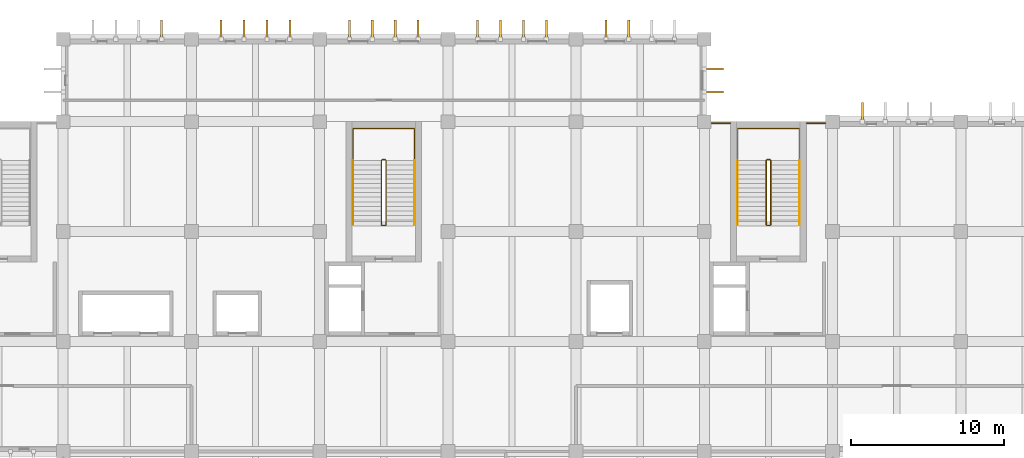
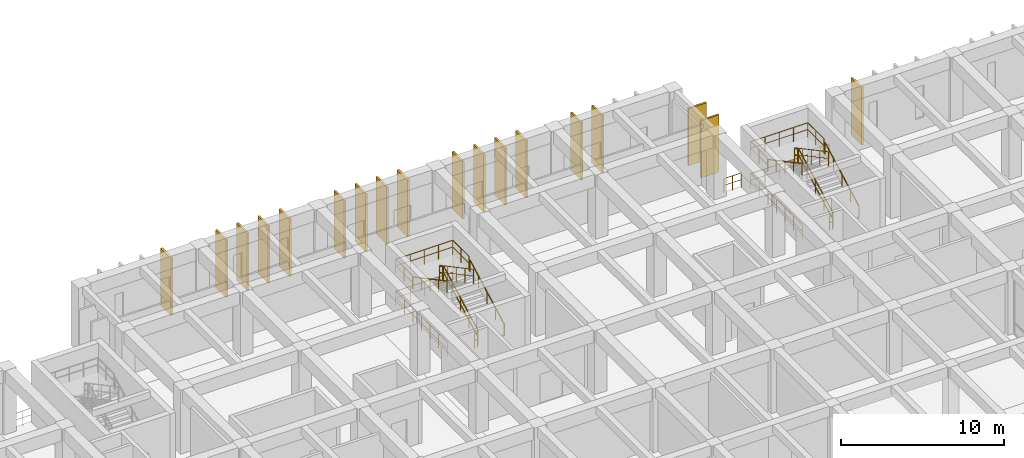
# One storey, part 51 of 52: 18 railings, 18 shading devices.
"""IFC4 building model written with IfcOpenShell, lengths in metres."""

from ifc_helpers import new_model, si_unit, direction, frame, origin, origin_2d, place, context, subcontext, project, spatial, rectangle, circle, extrude, material, type_object, element, save


model = new_model("IFC4")

# Units and contexts
model_context = context("Model", 3, precision=1e-05, world=origin(), true_north=direction((0.0, 1.0)))
body_context = subcontext(model_context, "Body", "Model", "MODEL_VIEW")
ifc_project = project(units=[si_unit("LENGTHUNIT", "METRE"), si_unit("AREAUNIT", "SQUARE_METRE"), si_unit("VOLUMEUNIT", "CUBIC_METRE"), si_unit("PLANEANGLEUNIT", "RADIAN"), si_unit("MASSUNIT", "GRAM", prefix="KILO")], contexts=[model_context])

# Site, building, storey
site_placement = place(None, origin())
site = spatial("IfcSite", under=ifc_project, at=site_placement, CompositionType="ELEMENT")
building_placement = place(site_placement, origin())
building = spatial("IfcBuilding", under=site, at=building_placement, Name="Kenerak Square Central Library", CompositionType="ELEMENT")
storey_placement = place(building_placement, frame((0.0, 0.0, 4.800048828125)))
storey = spatial("IfcBuildingStorey", under=building, at=storey_placement, Name="L01", CompositionType="ELEMENT", Elevation=4.800048828125)

# Shading devices
ifc_material_1 = material(Name="White precast concrete C40/50", Category="concrete")
shading_device_type = type_object("IfcShadingDeviceType", Name="Precast Vertical Solar Fin SF-1280 C40/50", PredefinedType="USERDEFINED", material=ifc_material_1)
for number, where, z_axis, x_axis, name in (
    (1, (73.25, 116.419921875, 0.10009765625), (0.0, 0.0, 1.0), (1.0, 0.0, 0.0), "Precast Solar Fin FIN-01 L01 0027"),
    (2, (77.14990234375, 116.419921875, 0.10009765625), (0.0, 0.0, 1.0), (1.0, 0.0, 0.0), "Precast Solar Fin FIN-01 L01 0028"),
    (3, (78.64990234375, 116.419921875, 0.10009765625), (0.0, 0.0, 1.0), (1.0, 0.0, 0.0), "Precast Solar Fin FIN-01 L01 0029"),
    (4, (80.14990234375, 116.419921875, 0.10009765625), (0.0, 0.0, 1.0), (1.0, 0.0, 0.0), "Precast Solar Fin FIN-01 L01 0030"),
    (5, (81.64990234375, 116.419921875, 0.10009765625), (0.0, 0.0, 1.0), (1.0, 0.0, 0.0), "Precast Solar Fin FIN-01 L01 0031"),
    (6, (85.550048828125, 116.419921875, 0.10009765625), (0.0, 0.0, 1.0), (1.0, 0.0, 0.0), "Precast Solar Fin FIN-01 L01 0032"),
    (7, (87.050048828125, 116.419921875, 0.10009765625), (0.0, 0.0, 1.0), (1.0, 0.0, 0.0), "Precast Solar Fin FIN-01 L01 0033"),
    (8, (88.550048828125, 116.419921875, 0.10009765625), (0.0, 0.0, 1.0), (1.0, 0.0, 0.0), "Precast Solar Fin FIN-01 L01 0034"),
    (9, (90.050048828125, 116.419921875, 0.10009765625), (0.0, 0.0, 1.0), (1.0, 0.0, 0.0), "Precast Solar Fin FIN-01 L01 0035"),
    (10, (93.949951171875, 116.419921875, 0.10009765625), (0.0, 0.0, 1.0), (1.0, 0.0, 0.0), "Precast Solar Fin FIN-01 L01 0036"),
    (11, (95.449951171875, 116.419921875, 0.10009765625), (0.0, 0.0, 1.0), (1.0, 0.0, 0.0), "Precast Solar Fin FIN-01 L01 0037"),
    (12, (96.949951171875, 116.419921875, 0.10009765625), (0.0, 0.0, 1.0), (1.0, 0.0, 0.0), "Precast Solar Fin FIN-01 L01 0038"),
    (13, (98.449951171875, 116.419921875, 0.10009765625), (0.0, 0.0, 1.0), (1.0, 0.0, 0.0), "Precast Solar Fin FIN-01 L01 0039"),
    (14, (102.35009765625, 116.419921875, 0.10009765625), (0.0, 0.0, 1.0), (1.0, 0.0, 0.0), "Precast Solar Fin FIN-01 L01 0040"),
    (15, (103.85009765625, 116.419921875, 0.10009765625), (0.0, 0.0, 1.0), (1.0, 0.0, 0.0), "Precast Solar Fin FIN-01 L01 0041"),
    (16, (109.419921875, 113.85009765625, 0.10009765625), (0.0, 0.0, 1.0), (0.0, -1.0, 0.0), "Precast Solar Fin FIN-01 L01 0044"),
    (17, (109.419921875, 112.35009765625, 0.10009765625), (0.0, 0.0, 1.0), (0.0, -1.0, 0.0), "Precast Solar Fin FIN-01 L01 0045"),
    (18, (119.14990234375, 111.02001953125, 0.10009765625), (0.0, 0.0, 1.0), (1.0, 0.0, 0.0), "Precast Solar Fin FIN-01 L01 0046"),
):
    element("IfcShadingDevice", number, at=place(storey_placement, frame(where, z_axis=z_axis, x_axis=x_axis)), inside=storey, type_object=shading_device_type, Name=name, ObjectType="FIN", PredefinedType="USERDEFINED", context=body_context, shape_type="SweptSolid", body=[
        extrude(rectangle(XDim=0.139892578125, YDim=1.280029296875, at=origin_2d()), origin(), (0.0, 0.0, 1.0), 4.300048828125),
    ])

# Railings
ifc_material_2 = material(Name="Steel S355", Category="steel")
railing_type_1 = type_object("IfcRailingType", Name="Safety Guardrail GR-1100 S355", PredefinedType="GUARDRAIL", material=ifc_material_2)
railing_1_placement = place(storey_placement, frame((87.949951171875, 103.64990234375, 0.159912109375)))
element("IfcRailing", 19, at=railing_1_placement, inside=storey, type_object=railing_type_1, Name="L01 ST-02 stair guard 1", PredefinedType="GUARDRAIL", context=body_context, shape_type="SweptSolid", body=[
    extrude(circle(Radius=0.02392578125, at=origin_2d()), frame((0.0, 0.0, 1.076171875), z_axis=(0.0, 0.882362879185, 0.470569601054), x_axis=(-1.0, 0.0, 0.0)), (0.0, 0.0, 1.0), 4.76025390625),
    extrude(circle(Radius=0.01806640625, at=origin_2d()), frame((0.0, 0.0, 0.572021484375), z_axis=(0.0, 0.882362879185, 0.470569601054), x_axis=(-1.0, 0.0, 0.0)), (0.0, 0.0, 1.0), 4.76025390625),
    extrude(circle(Radius=0.02099609375, at=origin_2d()), origin(), (0.0, 0.0, 1.0), 1.052001953125),
    extrude(circle(Radius=0.02099609375, at=origin_2d()), frame((0.0, 1.050048828125, 0.56005859375)), (0.0, 0.0, 1.0), 1.052001953125),
    extrude(circle(Radius=0.02099609375, at=origin_2d()), frame((0.0, 2.10009765625, 1.1201171875)), (0.0, 0.0, 1.0), 1.052001953125),
    extrude(circle(Radius=0.02099609375, at=origin_2d()), frame((0.0, 3.150146484375, 1.679931640625)), (0.0, 0.0, 1.0), 1.052001953125),
    extrude(circle(Radius=0.02099609375, at=origin_2d()), frame((0.0, 4.2001953125, 2.239990234375)), (0.0, 0.0, 1.0), 1.052001953125),
])
railing_2_placement = place(storey_placement, frame((87.89990234375, 107.89990234375, 2.39990234375)))
element("IfcRailing", 20, at=railing_2_placement, inside=storey, type_object=railing_type_1, Name="L01 ST-02 stair guard 2", PredefinedType="GUARDRAIL", context=body_context, shape_type="SweptSolid", body=[
    extrude(circle(Radius=0.02392578125, at=origin_2d()), frame((0.0, 0.0, 1.076171875), z_axis=(-1.0, 0.0, 0.0), x_axis=(0.0, -1.0, 0.0)), (0.0, 0.0, 1.0), 0.199951171875),
    extrude(circle(Radius=0.01806640625, at=origin_2d()), frame((0.0, 0.0, 0.572021484375), z_axis=(-1.0, 0.0, 0.0), x_axis=(0.0, -1.0, 0.0)), (0.0, 0.0, 1.0), 0.199951171875),
    extrude(circle(Radius=0.02099609375, at=origin_2d()), origin(), (0.0, 0.0, 1.0), 1.052001953125),
    extrude(circle(Radius=0.02099609375, at=origin_2d()), frame((-0.199951171875, 0.0, 0.0)), (0.0, 0.0, 1.0), 1.052001953125),
])
railing_3_placement = place(storey_placement, frame((87.64990234375, 107.85009765625, 2.56005859375)))
element("IfcRailing", 21, at=railing_3_placement, inside=storey, type_object=railing_type_1, Name="L01 ST-02 stair guard 3", PredefinedType="GUARDRAIL", context=body_context, shape_type="SweptSolid", body=[
    extrude(circle(Radius=0.02392578125, at=origin_2d()), frame((0.0, 0.0, 1.076171875), z_axis=(0.0, -0.882362879185, 0.470569601054), x_axis=(1.0, 0.0, 0.0)), (0.0, 0.0, 1.0), 4.76025390625),
    extrude(circle(Radius=0.01806640625, at=origin_2d()), frame((0.0, 0.0, 0.572021484375), z_axis=(0.0, -0.882362879185, 0.470569601054), x_axis=(1.0, 0.0, 0.0)), (0.0, 0.0, 1.0), 4.76025390625),
    extrude(circle(Radius=0.02099609375, at=origin_2d()), origin(), (0.0, 0.0, 1.0), 1.052001953125),
    extrude(circle(Radius=0.02099609375, at=origin_2d()), frame((0.0, -1.050048828125, 0.56005859375)), (0.0, 0.0, 1.0), 1.052001953125),
    extrude(circle(Radius=0.02099609375, at=origin_2d()), frame((0.0, -2.10009765625, 1.1201171875)), (0.0, 0.0, 1.0), 1.052001953125),
    extrude(circle(Radius=0.02099609375, at=origin_2d()), frame((0.0, -3.150146484375, 1.679931640625)), (0.0, 0.0, 1.0), 1.052001953125),
    extrude(circle(Radius=0.02099609375, at=origin_2d()), frame((0.0, -4.2001953125, 2.239990234375)), (0.0, 0.0, 1.0), 1.052001953125),
])
railing_4_placement = place(storey_placement, frame((87.89990234375, 103.60009765625, 0.0)))
element("IfcRailing", 22, at=railing_4_placement, inside=storey, type_object=railing_type_1, Name="L01 ST-02 stair guard 4", PredefinedType="GUARDRAIL", context=body_context, shape_type="SweptSolid", body=[
    extrude(circle(Radius=0.02392578125, at=origin_2d()), frame((0.0, 0.0, 1.076171875), z_axis=(-1.0, 0.0, 0.0), x_axis=(0.0, -1.0, 0.0)), (0.0, 0.0, 1.0), 0.199951171875),
    extrude(circle(Radius=0.01806640625, at=origin_2d()), frame((0.0, 0.0, 0.572021484375), z_axis=(-1.0, 0.0, 0.0), x_axis=(0.0, -1.0, 0.0)), (0.0, 0.0, 1.0), 0.199951171875),
    extrude(circle(Radius=0.02099609375, at=origin_2d()), origin(), (0.0, 0.0, 1.0), 1.052001953125),
    extrude(circle(Radius=0.02099609375, at=origin_2d()), frame((-0.199951171875, 0.0, 0.0)), (0.0, 0.0, 1.0), 1.052001953125),
])
railing_5_placement = place(storey_placement, frame((85.780029296875, 107.949951171875, 2.39990234375)))
element("IfcRailing", 23, at=railing_5_placement, inside=storey, type_object=railing_type_1, Name="Stair Half-Landing Guard ST-02 L01", PredefinedType="GUARDRAIL", context=body_context, shape_type="SweptSolid", body=[
    extrude(circle(Radius=0.02392578125, at=origin_2d()), frame((0.0, 0.0, 1.076171875), z_axis=(0.0, 1.0, 0.0), x_axis=(-1.0, 0.0, 0.0)), (0.0, 0.0, 1.0), 2.0),
    extrude(circle(Radius=0.01806640625, at=origin_2d()), frame((0.0, 0.0, 0.572021484375), z_axis=(0.0, 1.0, 0.0), x_axis=(-1.0, 0.0, 0.0)), (0.0, 0.0, 1.0), 2.0),
    extrude(circle(Radius=0.02392578125, at=origin_2d()), frame((0.0, 2.0, 1.076171875), z_axis=(1.0, 0.0, 0.0), x_axis=(0.0, 1.0, 0.0)), (0.0, 0.0, 1.0), 4.0400390625),
    extrude(circle(Radius=0.01806640625, at=origin_2d()), frame((0.0, 2.0, 0.572021484375), z_axis=(1.0, 0.0, 0.0), x_axis=(0.0, 1.0, 0.0)), (0.0, 0.0, 1.0), 4.0400390625),
    extrude(circle(Radius=0.02392578125, at=origin_2d()), frame((4.0400390625, 2.0, 1.076171875), z_axis=(0.0, -1.0, 0.0), x_axis=(1.0, 0.0, 0.0)), (0.0, 0.0, 1.0), 2.0),
    extrude(circle(Radius=0.01806640625, at=origin_2d()), frame((4.0400390625, 2.0, 0.572021484375), z_axis=(0.0, -1.0, 0.0), x_axis=(1.0, 0.0, 0.0)), (0.0, 0.0, 1.0), 2.0),
    extrude(circle(Radius=0.02099609375, at=origin_2d()), origin(), (0.0, 0.0, 1.0), 1.052001953125),
    extrude(circle(Radius=0.02099609375, at=origin_2d()), frame((0.0, 1.0, 0.0)), (0.0, 0.0, 1.0), 1.052001953125),
    extrude(circle(Radius=0.02099609375, at=origin_2d()), frame((0.0, 2.0, 0.0)), (0.0, 0.0, 1.0), 1.052001953125),
    extrude(circle(Radius=0.02099609375, at=origin_2d()), frame((1.010009765625, 2.0, 0.0)), (0.0, 0.0, 1.0), 1.052001953125),
    extrude(circle(Radius=0.02099609375, at=origin_2d()), frame((2.02001953125, 2.0, 0.0)), (0.0, 0.0, 1.0), 1.052001953125),
    extrude(circle(Radius=0.02099609375, at=origin_2d()), frame((3.030029296875, 2.0, 0.0)), (0.0, 0.0, 1.0), 1.052001953125),
    extrude(circle(Radius=0.02099609375, at=origin_2d()), frame((4.0400390625, 2.0, 0.0)), (0.0, 0.0, 1.0), 1.052001953125),
    extrude(circle(Radius=0.02099609375, at=origin_2d()), frame((4.0400390625, 1.0, 0.0)), (0.0, 0.0, 1.0), 1.052001953125),
    extrude(circle(Radius=0.02099609375, at=origin_2d()), frame((4.0400390625, 0.0, 0.0)), (0.0, 0.0, 1.0), 1.052001953125),
])
railing_6_placement = place(storey_placement, frame((85.780029296875, 103.64990234375, 0.0)))
element("IfcRailing", 24, at=railing_6_placement, inside=storey, type_object=railing_type_1, Name="Stair Well Floor Guard ST-02 L01", PredefinedType="GUARDRAIL", context=body_context, shape_type="SweptSolid", body=[
    extrude(circle(Radius=0.02392578125, at=origin_2d()), frame((0.0, 0.0, 1.076171875), z_axis=(0.0, 1.0, 0.0), x_axis=(-1.0, 0.0, 0.0)), (0.0, 0.0, 1.0), 6.300048828125),
    extrude(circle(Radius=0.01806640625, at=origin_2d()), frame((0.0, 0.0, 0.572021484375), z_axis=(0.0, 1.0, 0.0), x_axis=(-1.0, 0.0, 0.0)), (0.0, 0.0, 1.0), 6.300048828125),
    extrude(circle(Radius=0.02392578125, at=origin_2d()), frame((0.0, 6.300048828125, 1.076171875), z_axis=(1.0, 0.0, 0.0), x_axis=(0.0, 1.0, 0.0)), (0.0, 0.0, 1.0), 4.0400390625),
    extrude(circle(Radius=0.01806640625, at=origin_2d()), frame((0.0, 6.300048828125, 0.572021484375), z_axis=(1.0, 0.0, 0.0), x_axis=(0.0, 1.0, 0.0)), (0.0, 0.0, 1.0), 4.0400390625),
    extrude(circle(Radius=0.02099609375, at=origin_2d()), origin(), (0.0, 0.0, 1.0), 1.052001953125),
    extrude(circle(Radius=0.02099609375, at=origin_2d()), frame((0.0, 1.050048828125, 0.0)), (0.0, 0.0, 1.0), 1.052001953125),
    extrude(circle(Radius=0.02099609375, at=origin_2d()), frame((0.0, 2.10009765625, 0.0)), (0.0, 0.0, 1.0), 1.052001953125),
    extrude(circle(Radius=0.02099609375, at=origin_2d()), frame((0.0, 3.14990234375, 0.0)), (0.0, 0.0, 1.0), 1.052001953125),
    extrude(circle(Radius=0.02099609375, at=origin_2d()), frame((0.0, 4.199951171875, 0.0)), (0.0, 0.0, 1.0), 1.052001953125),
    extrude(circle(Radius=0.02099609375, at=origin_2d()), frame((0.0, 5.25, 0.0)), (0.0, 0.0, 1.0), 1.052001953125),
    extrude(circle(Radius=0.02099609375, at=origin_2d()), frame((0.0, 6.300048828125, 0.0)), (0.0, 0.0, 1.0), 1.052001953125),
    extrude(circle(Radius=0.02099609375, at=origin_2d()), frame((1.010009765625, 6.300048828125, 0.0)), (0.0, 0.0, 1.0), 1.052001953125),
    extrude(circle(Radius=0.02099609375, at=origin_2d()), frame((2.02001953125, 6.300048828125, 0.0)), (0.0, 0.0, 1.0), 1.052001953125),
    extrude(circle(Radius=0.02099609375, at=origin_2d()), frame((3.030029296875, 6.300048828125, 0.0)), (0.0, 0.0, 1.0), 1.052001953125),
    extrude(circle(Radius=0.02099609375, at=origin_2d()), frame((4.0400390625, 6.300048828125, 0.0)), (0.0, 0.0, 1.0), 1.052001953125),
])
railing_7_placement = place(storey_placement, frame((113.14990234375, 103.64990234375, 0.159912109375)))
element("IfcRailing", 25, at=railing_7_placement, inside=storey, type_object=railing_type_1, Name="L01 ST-03 stair guard 1", PredefinedType="GUARDRAIL", context=body_context, shape_type="SweptSolid", body=[
    extrude(circle(Radius=0.02392578125, at=origin_2d()), frame((0.0, 0.0, 1.076171875), z_axis=(0.0, 0.882362879185, 0.470569601054), x_axis=(-1.0, 0.0, 0.0)), (0.0, 0.0, 1.0), 4.76025390625),
    extrude(circle(Radius=0.01806640625, at=origin_2d()), frame((0.0, 0.0, 0.572021484375), z_axis=(0.0, 0.882362879185, 0.470569601054), x_axis=(-1.0, 0.0, 0.0)), (0.0, 0.0, 1.0), 4.76025390625),
    extrude(circle(Radius=0.02099609375, at=origin_2d()), origin(), (0.0, 0.0, 1.0), 1.052001953125),
    extrude(circle(Radius=0.02099609375, at=origin_2d()), frame((0.0, 1.050048828125, 0.56005859375)), (0.0, 0.0, 1.0), 1.052001953125),
    extrude(circle(Radius=0.02099609375, at=origin_2d()), frame((0.0, 2.10009765625, 1.1201171875)), (0.0, 0.0, 1.0), 1.052001953125),
    extrude(circle(Radius=0.02099609375, at=origin_2d()), frame((0.0, 3.150146484375, 1.679931640625)), (0.0, 0.0, 1.0), 1.052001953125),
    extrude(circle(Radius=0.02099609375, at=origin_2d()), frame((0.0, 4.2001953125, 2.239990234375)), (0.0, 0.0, 1.0), 1.052001953125),
])
railing_8_placement = place(storey_placement, frame((113.10009765625, 107.89990234375, 2.39990234375)))
element("IfcRailing", 26, at=railing_8_placement, inside=storey, type_object=railing_type_1, Name="L01 ST-03 stair guard 2", PredefinedType="GUARDRAIL", context=body_context, shape_type="SweptSolid", body=[
    extrude(circle(Radius=0.02392578125, at=origin_2d()), frame((0.0, 0.0, 1.076171875), z_axis=(-1.0, 0.0, 0.0), x_axis=(0.0, -1.0, 0.0)), (0.0, 0.0, 1.0), 0.2001953125),
    extrude(circle(Radius=0.01806640625, at=origin_2d()), frame((0.0, 0.0, 0.572021484375), z_axis=(-1.0, 0.0, 0.0), x_axis=(0.0, -1.0, 0.0)), (0.0, 0.0, 1.0), 0.2001953125),
    extrude(circle(Radius=0.02099609375, at=origin_2d()), origin(), (0.0, 0.0, 1.0), 1.052001953125),
    extrude(circle(Radius=0.02099609375, at=origin_2d()), frame((-0.2001953125, 0.0, 0.0)), (0.0, 0.0, 1.0), 1.052001953125),
])
railing_9_placement = place(storey_placement, frame((112.85009765625, 107.85009765625, 2.56005859375)))
element("IfcRailing", 27, at=railing_9_placement, inside=storey, type_object=railing_type_1, Name="L01 ST-03 stair guard 3", PredefinedType="GUARDRAIL", context=body_context, shape_type="SweptSolid", body=[
    extrude(circle(Radius=0.02392578125, at=origin_2d()), frame((0.0, 0.0, 1.076171875), z_axis=(0.0, -0.882362879185, 0.470569601054), x_axis=(1.0, 0.0, 0.0)), (0.0, 0.0, 1.0), 4.76025390625),
    extrude(circle(Radius=0.01806640625, at=origin_2d()), frame((0.0, 0.0, 0.572021484375), z_axis=(0.0, -0.882362879185, 0.470569601054), x_axis=(1.0, 0.0, 0.0)), (0.0, 0.0, 1.0), 4.76025390625),
    extrude(circle(Radius=0.02099609375, at=origin_2d()), origin(), (0.0, 0.0, 1.0), 1.052001953125),
    extrude(circle(Radius=0.02099609375, at=origin_2d()), frame((0.0, -1.050048828125, 0.56005859375)), (0.0, 0.0, 1.0), 1.052001953125),
    extrude(circle(Radius=0.02099609375, at=origin_2d()), frame((0.0, -2.10009765625, 1.1201171875)), (0.0, 0.0, 1.0), 1.052001953125),
    extrude(circle(Radius=0.02099609375, at=origin_2d()), frame((0.0, -3.150146484375, 1.679931640625)), (0.0, 0.0, 1.0), 1.052001953125),
    extrude(circle(Radius=0.02099609375, at=origin_2d()), frame((0.0, -4.2001953125, 2.239990234375)), (0.0, 0.0, 1.0), 1.052001953125),
])
railing_10_placement = place(storey_placement, frame((113.10009765625, 103.60009765625, 0.0)))
element("IfcRailing", 28, at=railing_10_placement, inside=storey, type_object=railing_type_1, Name="L01 ST-03 stair guard 4", PredefinedType="GUARDRAIL", context=body_context, shape_type="SweptSolid", body=[
    extrude(circle(Radius=0.02392578125, at=origin_2d()), frame((0.0, 0.0, 1.076171875), z_axis=(-1.0, 0.0, 0.0), x_axis=(0.0, -1.0, 0.0)), (0.0, 0.0, 1.0), 0.2001953125),
    extrude(circle(Radius=0.01806640625, at=origin_2d()), frame((0.0, 0.0, 0.572021484375), z_axis=(-1.0, 0.0, 0.0), x_axis=(0.0, -1.0, 0.0)), (0.0, 0.0, 1.0), 0.2001953125),
    extrude(circle(Radius=0.02099609375, at=origin_2d()), origin(), (0.0, 0.0, 1.0), 1.052001953125),
    extrude(circle(Radius=0.02099609375, at=origin_2d()), frame((-0.2001953125, 0.0, 0.0)), (0.0, 0.0, 1.0), 1.052001953125),
])
railing_11_placement = place(storey_placement, frame((110.97998046875, 107.949951171875, 2.39990234375)))
element("IfcRailing", 29, at=railing_11_placement, inside=storey, type_object=railing_type_1, Name="Stair Half-Landing Guard ST-03 L01", PredefinedType="GUARDRAIL", context=body_context, shape_type="SweptSolid", body=[
    extrude(circle(Radius=0.02392578125, at=origin_2d()), frame((0.0, 0.0, 1.076171875), z_axis=(0.0, 1.0, 0.0), x_axis=(-1.0, 0.0, 0.0)), (0.0, 0.0, 1.0), 2.0),
    extrude(circle(Radius=0.01806640625, at=origin_2d()), frame((0.0, 0.0, 0.572021484375), z_axis=(0.0, 1.0, 0.0), x_axis=(-1.0, 0.0, 0.0)), (0.0, 0.0, 1.0), 2.0),
    extrude(circle(Radius=0.02392578125, at=origin_2d()), frame((0.0, 2.0, 1.076171875), z_axis=(1.0, 0.0, 0.0), x_axis=(0.0, 1.0, 0.0)), (0.0, 0.0, 1.0), 4.0400390625),
    extrude(circle(Radius=0.01806640625, at=origin_2d()), frame((0.0, 2.0, 0.572021484375), z_axis=(1.0, 0.0, 0.0), x_axis=(0.0, 1.0, 0.0)), (0.0, 0.0, 1.0), 4.0400390625),
    extrude(circle(Radius=0.02392578125, at=origin_2d()), frame((4.0400390625, 2.0, 1.076171875), z_axis=(0.0, -1.0, 0.0), x_axis=(1.0, 0.0, 0.0)), (0.0, 0.0, 1.0), 2.0),
    extrude(circle(Radius=0.01806640625, at=origin_2d()), frame((4.0400390625, 2.0, 0.572021484375), z_axis=(0.0, -1.0, 0.0), x_axis=(1.0, 0.0, 0.0)), (0.0, 0.0, 1.0), 2.0),
    extrude(circle(Radius=0.02099609375, at=origin_2d()), origin(), (0.0, 0.0, 1.0), 1.052001953125),
    extrude(circle(Radius=0.02099609375, at=origin_2d()), frame((0.0, 1.0, 0.0)), (0.0, 0.0, 1.0), 1.052001953125),
    extrude(circle(Radius=0.02099609375, at=origin_2d()), frame((0.0, 2.0, 0.0)), (0.0, 0.0, 1.0), 1.052001953125),
    extrude(circle(Radius=0.02099609375, at=origin_2d()), frame((1.010009765625, 2.0, 0.0)), (0.0, 0.0, 1.0), 1.052001953125),
    extrude(circle(Radius=0.02099609375, at=origin_2d()), frame((2.02001953125, 2.0, 0.0)), (0.0, 0.0, 1.0), 1.052001953125),
    extrude(circle(Radius=0.02099609375, at=origin_2d()), frame((3.030029296875, 2.0, 0.0)), (0.0, 0.0, 1.0), 1.052001953125),
    extrude(circle(Radius=0.02099609375, at=origin_2d()), frame((4.0400390625, 2.0, 0.0)), (0.0, 0.0, 1.0), 1.052001953125),
    extrude(circle(Radius=0.02099609375, at=origin_2d()), frame((4.0400390625, 1.0, 0.0)), (0.0, 0.0, 1.0), 1.052001953125),
    extrude(circle(Radius=0.02099609375, at=origin_2d()), frame((4.0400390625, 0.0, 0.0)), (0.0, 0.0, 1.0), 1.052001953125),
])
railing_12_placement = place(storey_placement, frame((110.97998046875, 103.64990234375, 0.0)))
element("IfcRailing", 30, at=railing_12_placement, inside=storey, type_object=railing_type_1, Name="Stair Well Floor Guard ST-03 L01", PredefinedType="GUARDRAIL", context=body_context, shape_type="SweptSolid", body=[
    extrude(circle(Radius=0.02392578125, at=origin_2d()), frame((0.0, 0.0, 1.076171875), z_axis=(0.0, 1.0, 0.0), x_axis=(-1.0, 0.0, 0.0)), (0.0, 0.0, 1.0), 6.300048828125),
    extrude(circle(Radius=0.01806640625, at=origin_2d()), frame((0.0, 0.0, 0.572021484375), z_axis=(0.0, 1.0, 0.0), x_axis=(-1.0, 0.0, 0.0)), (0.0, 0.0, 1.0), 6.300048828125),
    extrude(circle(Radius=0.02392578125, at=origin_2d()), frame((0.0, 6.300048828125, 1.076171875), z_axis=(1.0, 0.0, 0.0), x_axis=(0.0, 1.0, 0.0)), (0.0, 0.0, 1.0), 4.0400390625),
    extrude(circle(Radius=0.01806640625, at=origin_2d()), frame((0.0, 6.300048828125, 0.572021484375), z_axis=(1.0, 0.0, 0.0), x_axis=(0.0, 1.0, 0.0)), (0.0, 0.0, 1.0), 4.0400390625),
    extrude(circle(Radius=0.02099609375, at=origin_2d()), origin(), (0.0, 0.0, 1.0), 1.052001953125),
    extrude(circle(Radius=0.02099609375, at=origin_2d()), frame((0.0, 1.050048828125, 0.0)), (0.0, 0.0, 1.0), 1.052001953125),
    extrude(circle(Radius=0.02099609375, at=origin_2d()), frame((0.0, 2.10009765625, 0.0)), (0.0, 0.0, 1.0), 1.052001953125),
    extrude(circle(Radius=0.02099609375, at=origin_2d()), frame((0.0, 3.14990234375, 0.0)), (0.0, 0.0, 1.0), 1.052001953125),
    extrude(circle(Radius=0.02099609375, at=origin_2d()), frame((0.0, 4.199951171875, 0.0)), (0.0, 0.0, 1.0), 1.052001953125),
    extrude(circle(Radius=0.02099609375, at=origin_2d()), frame((0.0, 5.25, 0.0)), (0.0, 0.0, 1.0), 1.052001953125),
    extrude(circle(Radius=0.02099609375, at=origin_2d()), frame((0.0, 6.300048828125, 0.0)), (0.0, 0.0, 1.0), 1.052001953125),
    extrude(circle(Radius=0.02099609375, at=origin_2d()), frame((1.010009765625, 6.300048828125, 0.0)), (0.0, 0.0, 1.0), 1.052001953125),
    extrude(circle(Radius=0.02099609375, at=origin_2d()), frame((2.02001953125, 6.300048828125, 0.0)), (0.0, 0.0, 1.0), 1.052001953125),
    extrude(circle(Radius=0.02099609375, at=origin_2d()), frame((3.030029296875, 6.300048828125, 0.0)), (0.0, 0.0, 1.0), 1.052001953125),
    extrude(circle(Radius=0.02099609375, at=origin_2d()), frame((4.0400390625, 6.300048828125, 0.0)), (0.0, 0.0, 1.0), 1.052001953125),
])
for number, where, name in (
    (31, (109.27197265625, 110.300048828125, 0.0), "Perimeter Edge Guardrail L01 109-1"),
    (32, (115.501953125, 110.300048828125, 0.0), "Perimeter Edge Guardrail L01 115-2"),
):
    element("IfcRailing", number, at=place(storey_placement, frame(where)), inside=storey, type_object=railing_type_1, Name=name, PredefinedType="GUARDRAIL", context=body_context, shape_type="SweptSolid", body=[
        extrude(circle(Radius=0.02392578125, at=origin_2d()), frame((0.0, 0.0, 1.076171875), z_axis=(1.0, 0.0, 0.0), x_axis=(0.0, 1.0, 0.0)), (0.0, 0.0, 1.0), 1.22607421875),
        extrude(circle(Radius=0.01806640625, at=origin_2d()), frame((0.0, 0.0, 0.572021484375), z_axis=(1.0, 0.0, 0.0), x_axis=(0.0, 1.0, 0.0)), (0.0, 0.0, 1.0), 1.22607421875),
        extrude(circle(Radius=0.02099609375, at=origin_2d()), origin(), (0.0, 0.0, 1.0), 1.052001953125),
        extrude(circle(Radius=0.02099609375, at=origin_2d()), frame((0.613037109375, 0.0, 0.0)), (0.0, 0.0, 1.0), 1.052001953125),
        extrude(circle(Radius=0.02099609375, at=origin_2d()), frame((1.22607421875, 0.0, 0.0)), (0.0, 0.0, 1.0), 1.052001953125),
    ])
railing_type_2 = type_object("IfcRailingType", Name="Stair Handrail HR-880 S355", PredefinedType="HANDRAIL", material=ifc_material_2)
railing_13_placement = place(storey_placement, frame((89.830078125, 103.64990234375, 0.159912109375)))
element("IfcRailing", 33, at=railing_13_placement, inside=storey, type_object=railing_type_2, Name="L01 ST-02 stair handrail 1", PredefinedType="HANDRAIL", context=body_context, shape_type="SweptSolid", body=[
    extrude(circle(Radius=0.02392578125, at=origin_2d()), frame((0.0, 0.0, 0.85595703125), z_axis=(0.0, 0.882362879185, 0.470569601054), x_axis=(-1.0, 0.0, 0.0)), (0.0, 0.0, 1.0), 4.76025390625),
    extrude(circle(Radius=0.02099609375, at=origin_2d()), origin(), (0.0, 0.0, 1.0), 0.831787109375),
    extrude(circle(Radius=0.02099609375, at=origin_2d()), frame((0.0, 1.050048828125, 0.56005859375)), (0.0, 0.0, 1.0), 0.831787109375),
    extrude(circle(Radius=0.02099609375, at=origin_2d()), frame((0.0, 2.10009765625, 1.1201171875)), (0.0, 0.0, 1.0), 0.831787109375),
    extrude(circle(Radius=0.02099609375, at=origin_2d()), frame((0.0, 3.150146484375, 1.679931640625)), (0.0, 0.0, 1.0), 0.831787109375),
    extrude(circle(Radius=0.02099609375, at=origin_2d()), frame((0.0, 4.2001953125, 2.239990234375)), (0.0, 0.0, 1.0), 0.831787109375),
])
railing_14_placement = place(storey_placement, frame((85.77001953125, 107.85009765625, 2.56005859375)))
element("IfcRailing", 34, at=railing_14_placement, inside=storey, type_object=railing_type_2, Name="L01 ST-02 stair handrail 2", PredefinedType="HANDRAIL", context=body_context, shape_type="SweptSolid", body=[
    extrude(circle(Radius=0.02392578125, at=origin_2d()), frame((0.0, 0.0, 0.85595703125), z_axis=(0.0, -0.882362879185, 0.470569601054), x_axis=(1.0, 0.0, 0.0)), (0.0, 0.0, 1.0), 4.76025390625),
    extrude(circle(Radius=0.02099609375, at=origin_2d()), origin(), (0.0, 0.0, 1.0), 0.831787109375),
    extrude(circle(Radius=0.02099609375, at=origin_2d()), frame((0.0, -1.050048828125, 0.56005859375)), (0.0, 0.0, 1.0), 0.831787109375),
    extrude(circle(Radius=0.02099609375, at=origin_2d()), frame((0.0, -2.10009765625, 1.1201171875)), (0.0, 0.0, 1.0), 0.831787109375),
    extrude(circle(Radius=0.02099609375, at=origin_2d()), frame((0.0, -3.150146484375, 1.679931640625)), (0.0, 0.0, 1.0), 0.831787109375),
    extrude(circle(Radius=0.02099609375, at=origin_2d()), frame((0.0, -4.2001953125, 2.239990234375)), (0.0, 0.0, 1.0), 0.831787109375),
])
railing_15_placement = place(storey_placement, frame((115.030029296875, 103.64990234375, 0.159912109375)))
element("IfcRailing", 35, at=railing_15_placement, inside=storey, type_object=railing_type_2, Name="L01 ST-03 stair handrail 1", PredefinedType="HANDRAIL", context=body_context, shape_type="SweptSolid", body=[
    extrude(circle(Radius=0.02392578125, at=origin_2d()), frame((0.0, 0.0, 0.85595703125), z_axis=(0.0, 0.882362879185, 0.470569601054), x_axis=(-1.0, 0.0, 0.0)), (0.0, 0.0, 1.0), 4.76025390625),
    extrude(circle(Radius=0.02099609375, at=origin_2d()), origin(), (0.0, 0.0, 1.0), 0.831787109375),
    extrude(circle(Radius=0.02099609375, at=origin_2d()), frame((0.0, 1.050048828125, 0.56005859375)), (0.0, 0.0, 1.0), 0.831787109375),
    extrude(circle(Radius=0.02099609375, at=origin_2d()), frame((0.0, 2.10009765625, 1.1201171875)), (0.0, 0.0, 1.0), 0.831787109375),
    extrude(circle(Radius=0.02099609375, at=origin_2d()), frame((0.0, 3.150146484375, 1.679931640625)), (0.0, 0.0, 1.0), 0.831787109375),
    extrude(circle(Radius=0.02099609375, at=origin_2d()), frame((0.0, 4.2001953125, 2.239990234375)), (0.0, 0.0, 1.0), 0.831787109375),
])
railing_16_placement = place(storey_placement, frame((110.969970703125, 107.85009765625, 2.56005859375)))
element("IfcRailing", 36, at=railing_16_placement, inside=storey, type_object=railing_type_2, Name="L01 ST-03 stair handrail 2", PredefinedType="HANDRAIL", context=body_context, shape_type="SweptSolid", body=[
    extrude(circle(Radius=0.02392578125, at=origin_2d()), frame((0.0, 0.0, 0.85595703125), z_axis=(0.0, -0.882362879185, 0.470569601054), x_axis=(1.0, 0.0, 0.0)), (0.0, 0.0, 1.0), 4.76025390625),
    extrude(circle(Radius=0.02099609375, at=origin_2d()), origin(), (0.0, 0.0, 1.0), 0.831787109375),
    extrude(circle(Radius=0.02099609375, at=origin_2d()), frame((0.0, -1.050048828125, 0.56005859375)), (0.0, 0.0, 1.0), 0.831787109375),
    extrude(circle(Radius=0.02099609375, at=origin_2d()), frame((0.0, -2.10009765625, 1.1201171875)), (0.0, 0.0, 1.0), 0.831787109375),
    extrude(circle(Radius=0.02099609375, at=origin_2d()), frame((0.0, -3.150146484375, 1.679931640625)), (0.0, 0.0, 1.0), 0.831787109375),
    extrude(circle(Radius=0.02099609375, at=origin_2d()), frame((0.0, -4.2001953125, 2.239990234375)), (0.0, 0.0, 1.0), 0.831787109375),
])

save(model, "model.ifc")
